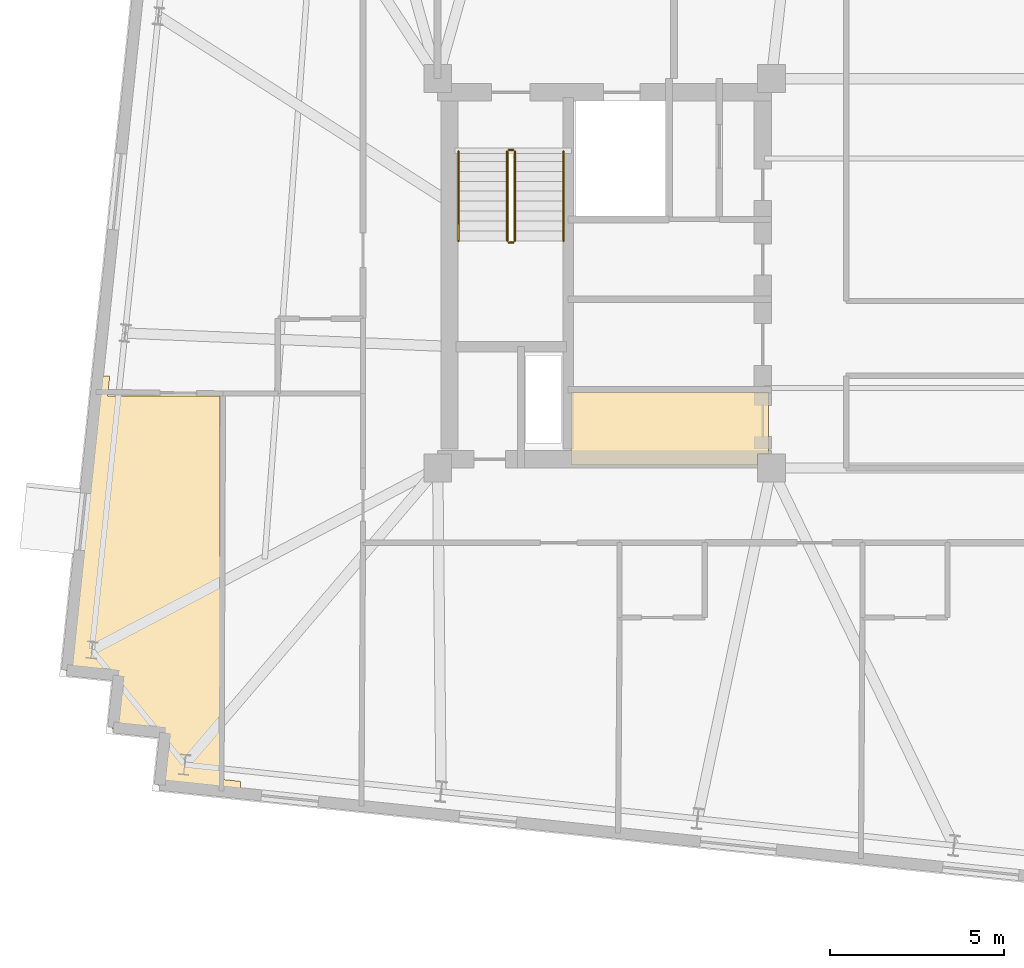
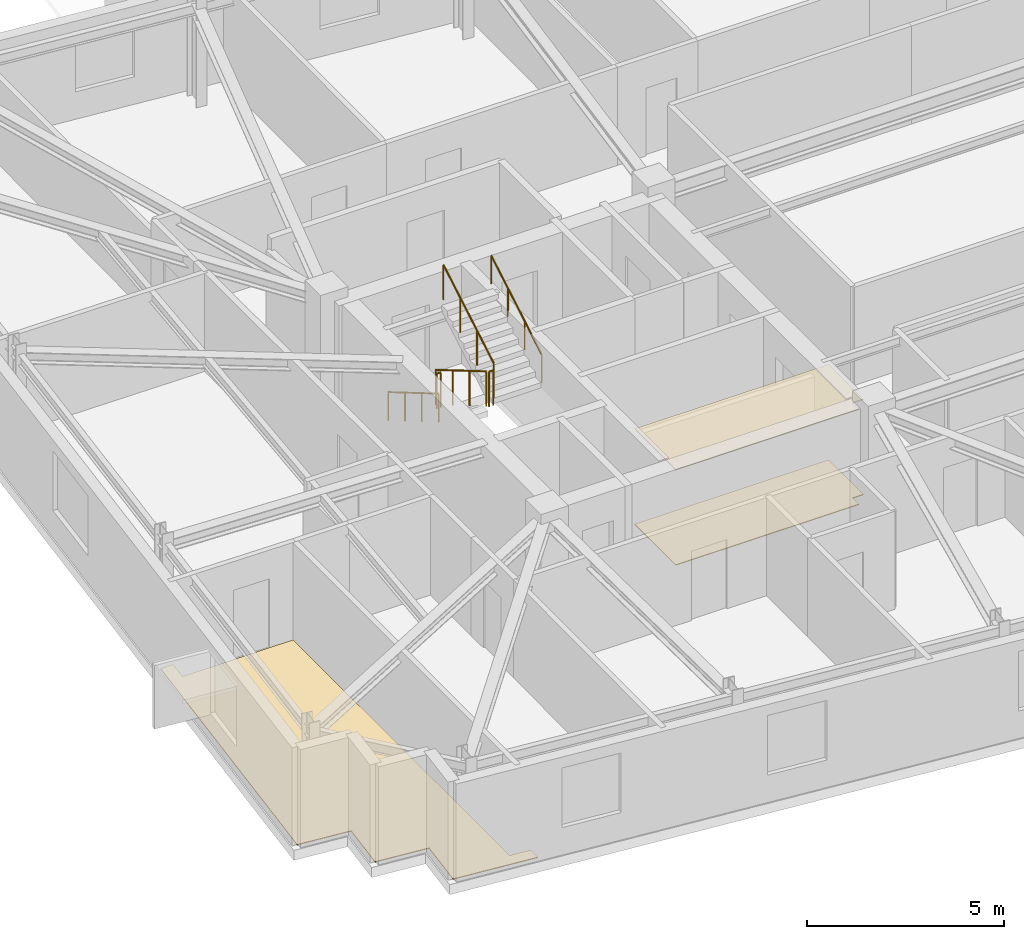
# One storey, part 10 of 11: 6 railings, 3 coverings.
"""IFC4 building model written with IfcOpenShell, lengths in metres."""

from ifc_helpers import new_model, si_unit, direction, frame, origin, origin_2d, place, context, subcontext, project, spatial, polyline, circle, outline, extrude, material, layer, layer_set, type_object, element, save


model = new_model("IFC4")

# Units and contexts
model_context = context("Model", 3, precision=1e-05, world=origin(), true_north=direction((0.0, 1.0)))
body_context = subcontext(model_context, "Body", "Model", "MODEL_VIEW")
ifc_project = project(units=[si_unit("LENGTHUNIT", "METRE"), si_unit("AREAUNIT", "SQUARE_METRE"), si_unit("VOLUMEUNIT", "CUBIC_METRE"), si_unit("PLANEANGLEUNIT", "RADIAN"), si_unit("MASSUNIT", "GRAM", prefix="KILO")], contexts=[model_context])

# Site, building, storey
site_placement = place(None, origin())
site = spatial("IfcSite", under=ifc_project, at=site_placement, CompositionType="ELEMENT")
building_placement = place(site_placement, origin())
building = spatial("IfcBuilding", under=site, at=building_placement, Name="Qobustan Lattice House", CompositionType="ELEMENT")
storey_placement = place(building_placement, frame((0.0, 0.0, 213.14990234375)))
storey = spatial("IfcBuildingStorey", under=building, at=storey_placement, Name="L60", CompositionType="ELEMENT", Elevation=213.14990234375)

# Coverings
ifc_material_1 = material(Name="Perforated gypsum acoustic ceiling", Category="gypsum")
ifc_layer_1 = layer(ifc_material_1, 0.030029296875)
ifc_layer_set_1 = layer_set([ifc_layer_1], Name="Perforated gypsum acoustic ceiling")
covering_type_1 = type_object("IfcCoveringType", Name="COV-ACOUSTIC-CEIL", PredefinedType="CEILING", material=ifc_layer_set_1)
covering_1_placement = place(storey_placement, frame((0.0, 0.0, 2.9501953125)))
element("IfcCovering", 1, at=covering_1_placement, inside=storey, type_object=covering_type_1, Name="L60 Collaborative study lounge acoustic ceiling", PredefinedType="CEILING", context=body_context, shape_type="SweptSolid", body=[
    extrude(outline(polyline([(-9.280029296875, -3.429931640625), (-14.969970703125, -3.429931640625), (-14.969970703125, -5.52001953125), (-9.60205078125, -5.52001953125), (-9.60205078125, -5.197998046875), (-9.280029296875, -5.197998046875), (-9.280029296875, -3.429931640625)])), origin(), (0.0, 0.0, 1.0), 0.02978515625),
])
ifc_material_2 = material(Name="Honed Absheron stone terrazzo flooring", Category="masonry")
ifc_layer_2 = layer(ifc_material_2, 0.02490234375)
ifc_layer_set_2 = layer_set([ifc_layer_2], Name="Honed Absheron stone terrazzo flooring")
covering_type_2 = type_object("IfcCoveringType", Name="COV-TERRAZZO-FLR", PredefinedType="FLOORING", material=ifc_layer_set_2)
covering_2_placement = place(storey_placement, origin())
element("IfcCovering", 2, at=covering_2_placement, inside=storey, type_object=covering_type_2, Name="L60 Collaborative study lounge stone terrazzo flooring", PredefinedType="FLOORING", context=body_context, shape_type="SweptSolid", body=[
    extrude(outline(polyline([(-9.280029296875, -3.429931640625), (-14.969970703125, -3.429931640625), (-14.969970703125, -5.52001953125), (-9.60205078125, -5.52001953125), (-9.60205078125, -5.197998046875), (-9.280029296875, -5.197998046875), (-9.280029296875, -3.429931640625)])), origin(), (0.0, 0.0, 1.0), 0.025146484375),
])
covering_3_placement = place(storey_placement, origin())
element("IfcCovering", 3, at=covering_3_placement, inside=storey, type_object=covering_type_2, Name="L60 Focus study room W1A stone terrazzo flooring", PredefinedType="FLOORING", context=body_context, shape_type="SweptSolid", body=[
    extrude(outline(polyline([(-26.826416015625, -14.73779296875), (-24.475830078125, -14.984619140625), (-24.475830078125, -14.61279296875), (-25.055908203125, -14.5517578125), (-25.055908203125, -3.535888671875), (-28.29345703125, -3.535888671875), (-28.232421875, -2.9560546875), (-28.6044921875, -2.9560546875), (-29.496337890625, -11.4404296875), (-28.004638671875, -11.597412109375), (-28.161376953125, -13.089111328125), (-26.669677734375, -13.245849609375), (-26.826416015625, -14.73779296875)])), origin(), (0.0, 0.0, 1.0), 0.025146484375),
])

# Railings
ifc_material_3 = material(Name="Brushed stainless steel handrail", Category="steel")
railing_type_1 = type_object("IfcRailingType", Name="RAL-HR-920", PredefinedType="HANDRAIL", material=ifc_material_3)
railing_1_placement = place(storey_placement, frame((-18.199951171875, 3.5, 0.16748046875)))
element("IfcRailing", 4, at=railing_1_placement, inside=storey, type_object=railing_type_1, Name="L60 ST-W1 stair handrail 1", PredefinedType="HANDRAIL", context=body_context, shape_type="SweptSolid", body=[
    extrude(circle(Radius=0.02392578125, at=origin_2d()), frame((0.0, 0.0, 0.8759765625), z_axis=(0.0, -0.862113467892, 0.50671527358), x_axis=(1.0, 0.0, 0.0)), (0.0, 0.0, 1.0), 2.97509765625),
    extrude(circle(Radius=0.02099609375, at=origin_2d()), origin(), (0.0, 0.0, 1.0), 0.851806640625),
    extrude(circle(Radius=0.02099609375, at=origin_2d()), frame((0.0, -0.85498046875, 0.50244140625)), (0.0, 0.0, 1.0), 0.851806640625),
    extrude(circle(Radius=0.02099609375, at=origin_2d()), frame((0.0, -1.7099609375, 1.005126953125)), (0.0, 0.0, 1.0), 0.851806640625),
    extrude(circle(Radius=0.02099609375, at=origin_2d()), frame((0.0, -2.56494140625, 1.507568359375)), (0.0, 0.0, 1.0), 0.851806640625),
])
railing_2_placement = place(storey_placement, frame((-15.179931640625, 0.93505859375, 1.842529296875)))
element("IfcRailing", 5, at=railing_2_placement, inside=storey, type_object=railing_type_1, Name="L60 ST-W1 stair handrail 2", PredefinedType="HANDRAIL", context=body_context, shape_type="SweptSolid", body=[
    extrude(circle(Radius=0.02392578125, at=origin_2d()), frame((0.0, 0.0, 0.8759765625), z_axis=(0.0, 0.862113467892, 0.50671527358), x_axis=(-1.0, 0.0, 0.0)), (0.0, 0.0, 1.0), 2.97509765625),
    extrude(circle(Radius=0.02099609375, at=origin_2d()), origin(), (0.0, 0.0, 1.0), 0.851806640625),
    extrude(circle(Radius=0.02099609375, at=origin_2d()), frame((0.0, 0.85498046875, 0.50244140625)), (0.0, 0.0, 1.0), 0.851806640625),
    extrude(circle(Radius=0.02099609375, at=origin_2d()), frame((0.0, 1.7099609375, 1.005126953125)), (0.0, 0.0, 1.0), 0.851806640625),
    extrude(circle(Radius=0.02099609375, at=origin_2d()), frame((0.0, 2.56494140625, 1.507568359375)), (0.0, 0.0, 1.0), 0.851806640625),
])
ifc_material_4 = material(Name="Painted galvanized steel guardrail", Category="steel")
railing_type_2 = type_object("IfcRailingType", Name="RAL-STG-1150", PredefinedType="GUARDRAIL", material=ifc_material_4)
railing_3_placement = place(storey_placement, frame((-16.800048828125, 3.5, 0.16748046875)))
element("IfcRailing", 6, at=railing_3_placement, inside=storey, type_object=railing_type_2, Name="L60 ST-W1 stair guard 1", PredefinedType="GUARDRAIL", context=body_context, shape_type="SweptSolid", body=[
    extrude(circle(Radius=0.02392578125, at=origin_2d()), frame((0.0, 0.0, 1.076171875), z_axis=(0.0, -0.862113467892, 0.50671527358), x_axis=(1.0, 0.0, 0.0)), (0.0, 0.0, 1.0), 2.97509765625),
    extrude(circle(Radius=0.02099609375, at=origin_2d()), origin(), (0.0, 0.0, 1.0), 1.052001953125),
    extrude(circle(Radius=0.02099609375, at=origin_2d()), frame((0.0, -0.85498046875, 0.50244140625)), (0.0, 0.0, 1.0), 1.052001953125),
    extrude(circle(Radius=0.02099609375, at=origin_2d()), frame((0.0, -1.7099609375, 1.005126953125)), (0.0, 0.0, 1.0), 1.052001953125),
    extrude(circle(Radius=0.02099609375, at=origin_2d()), frame((0.0, -2.56494140625, 1.507568359375)), (0.0, 0.0, 1.0), 1.052001953125),
])
railing_4_placement = place(storey_placement, frame((-16.75, 0.885009765625, 1.675048828125)))
element("IfcRailing", 7, at=railing_4_placement, inside=storey, type_object=railing_type_2, Name="L60 ST-W1 stair guard 2", PredefinedType="GUARDRAIL", context=body_context, shape_type="SweptSolid", body=[
    extrude(circle(Radius=0.02392578125, at=origin_2d()), frame((0.0, 0.0, 1.076171875), z_axis=(1.0, 0.0, 0.0), x_axis=(0.0, 1.0, 0.0)), (0.0, 0.0, 1.0), 0.1201171875),
    extrude(circle(Radius=0.02099609375, at=origin_2d()), origin(), (0.0, 0.0, 1.0), 1.052001953125),
    extrude(circle(Radius=0.02099609375, at=origin_2d()), frame((0.1201171875, 0.0, 0.0)), (0.0, 0.0, 1.0), 1.052001953125),
])
railing_5_placement = place(storey_placement, frame((-16.580078125, 0.93505859375, 1.842529296875)))
element("IfcRailing", 8, at=railing_5_placement, inside=storey, type_object=railing_type_2, Name="L60 ST-W1 stair guard 3", PredefinedType="GUARDRAIL", context=body_context, shape_type="SweptSolid", body=[
    extrude(circle(Radius=0.02392578125, at=origin_2d()), frame((0.0, 0.0, 1.076171875), z_axis=(0.0, 0.862113467892, 0.50671527358), x_axis=(-1.0, 0.0, 0.0)), (0.0, 0.0, 1.0), 2.97509765625),
    extrude(circle(Radius=0.02099609375, at=origin_2d()), origin(), (0.0, 0.0, 1.0), 1.052001953125),
    extrude(circle(Radius=0.02099609375, at=origin_2d()), frame((0.0, 0.85498046875, 0.50244140625)), (0.0, 0.0, 1.0), 1.052001953125),
    extrude(circle(Radius=0.02099609375, at=origin_2d()), frame((0.0, 1.7099609375, 1.005126953125)), (0.0, 0.0, 1.0), 1.052001953125),
    extrude(circle(Radius=0.02099609375, at=origin_2d()), frame((0.0, 2.56494140625, 1.507568359375)), (0.0, 0.0, 1.0), 1.052001953125),
])
railing_6_placement = place(storey_placement, frame((-16.75, 3.550048828125, 0.0)))
element("IfcRailing", 9, at=railing_6_placement, inside=storey, type_object=railing_type_2, Name="L60 ST-W1 stair guard 4", PredefinedType="GUARDRAIL", context=body_context, shape_type="SweptSolid", body=[
    extrude(circle(Radius=0.02392578125, at=origin_2d()), frame((0.0, 0.0, 1.076171875), z_axis=(1.0, 0.0, 0.0), x_axis=(0.0, 1.0, 0.0)), (0.0, 0.0, 1.0), 0.1201171875),
    extrude(circle(Radius=0.02099609375, at=origin_2d()), origin(), (0.0, 0.0, 1.0), 1.052001953125),
    extrude(circle(Radius=0.02099609375, at=origin_2d()), frame((0.1201171875, 0.0, 0.0)), (0.0, 0.0, 1.0), 1.052001953125),
])

save(model, "model.ifc")
